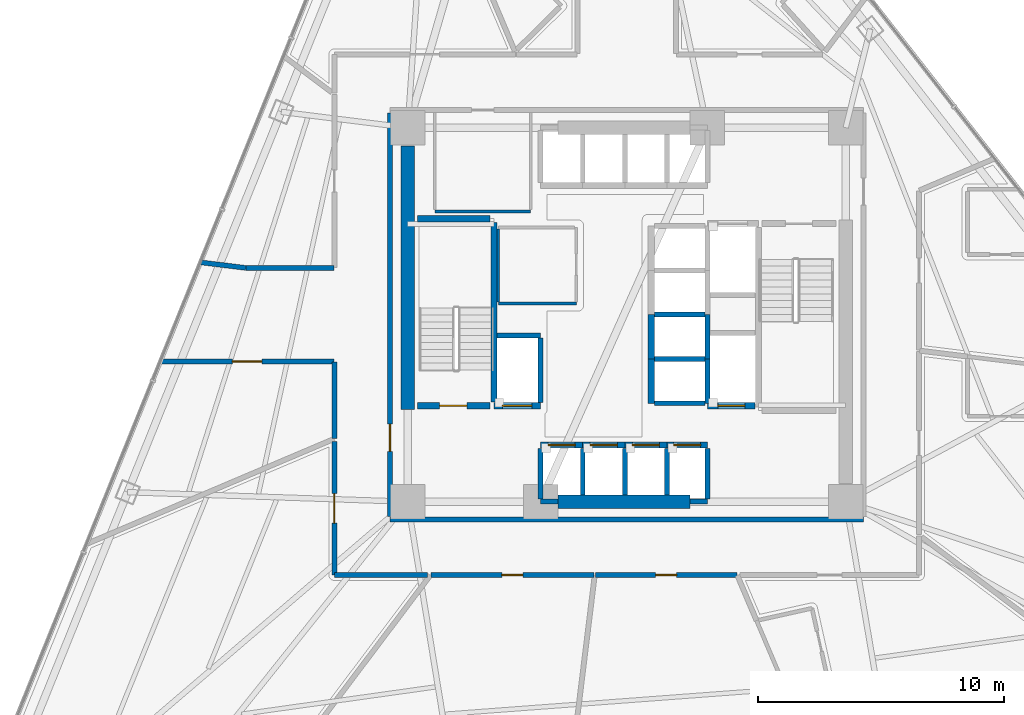
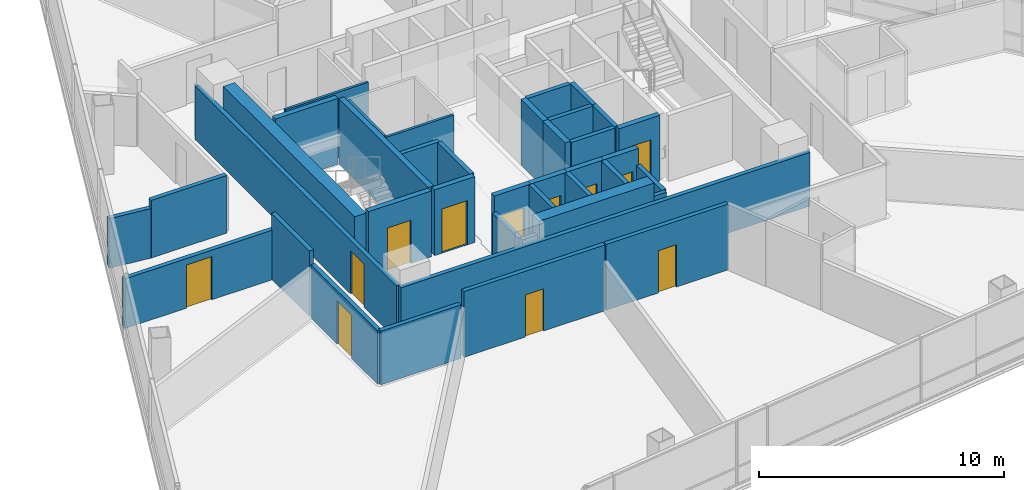
# One storey, part 7 of 15: 40 walls, 12 doors, 12 openings.
"""IFC4 building model written with IfcOpenShell, lengths in metres."""

from ifc_helpers import new_model, si_unit, direction, frame, frame_2d, origin, place, context, subcontext, project, spatial, rectangle, extrude, material, layer, layer_set, type_object, element, fill, save


model = new_model("IFC4")

# Units and contexts
model_context = context("Model", 3, precision=1e-05, world=origin(), true_north=direction((0.0, 1.0)))
body_context = subcontext(model_context, "Body", "Model", "MODEL_VIEW")
ifc_project = project(units=[si_unit("LENGTHUNIT", "METRE"), si_unit("AREAUNIT", "SQUARE_METRE"), si_unit("VOLUMEUNIT", "CUBIC_METRE"), si_unit("PLANEANGLEUNIT", "RADIAN"), si_unit("MASSUNIT", "GRAM", prefix="KILO")], contexts=[model_context])

# Site, building, storey
site_placement = place(None, origin())
site = spatial("IfcSite", under=ifc_project, at=site_placement, CompositionType="ELEMENT")
building_placement = place(site_placement, origin())
building = spatial("IfcBuilding", under=site, at=building_placement, Name="Tharavind Bronze Gate", CompositionType="ELEMENT")
storey_placement = place(building_placement, frame((0.0, 0.0, 74.199951171875)))
storey = spatial("IfcBuildingStorey", under=building, at=storey_placement, Name="L18", CompositionType="ELEMENT", Elevation=74.199951171875)

# Wall
ifc_material_1 = material(Name="Aerated Concrete Block", Category="concrete")
ifc_layer_1 = layer(ifc_material_1, 0.199951171875)
ifc_layer_set_1 = layer_set([ifc_layer_1], Name="Aerated Concrete Block")
wall_type_1 = type_object("IfcWallType", Name="FIRE RATED PARTITION 200", PredefinedType="PARTITIONING", material=ifc_layer_set_1)
wall_1_placement = place(storey_placement, frame((-9.6201171875, -8.320068359375, 0.0), z_axis=(0.0, 0.0, 1.0), x_axis=(1.0, 0.0, 0.0)))
element("IfcWall", 1, at=wall_1_placement, inside=storey, type_object=wall_type_1, Name="L18 south core corridor wall", PredefinedType="PARTITIONING", context=body_context, shape_type="SweptSolid", body=[
    extrude(rectangle(XDim=19.240234375, YDim=0.199951171875, at=frame_2d((9.6201171875, 0.0))), origin(), (0.0, 0.0, 1.0), 2.670166015625),
])

# Wall, opening, door
wall_2_placement = place(storey_placement, frame((-9.6201171875, 8.199951171875, 0.0), z_axis=(0.0, 0.0, 1.0), x_axis=(0.0, -1.0, 0.0)))
wall_2 = element("IfcWall", 2, at=wall_2_placement, inside=storey, type_object=wall_type_1, Name="L18 west core corridor wall", PredefinedType="PARTITIONING", context=body_context, shape_type="SweptSolid", body=[
    extrude(rectangle(XDim=16.39990234375, YDim=0.199951171875, at=frame_2d((8.199951171875, 0.0))), origin(), (0.0, 0.0, 1.0), 2.670166015625),
])
opening_1_placement = place(wall_2_placement, frame((12.64990234375, 0.0, 0.0)))
opening_1 = element("IfcOpeningElement", 3, at=opening_1_placement, cuts=wall_2, Name="Opening ID01", PredefinedType="OPENING", context=body_context, shape_type="SweptSolid", body=[
    extrude(rectangle(XDim=1.10009765625, YDim=2.14990234375, at=frame_2d((0.550048828125, 1.074951171875))), frame((0.0, 0.11009765625, 0.0), z_axis=(0.0, -1.0, 0.0), x_axis=(1.0, 0.0, 0.0)), (0.0, 0.0, 1.0), 0.219951171875),
])
ifc_material_2 = material(Name="Fire-Rated Steel", Category="steel")
door_type_1 = type_object("IfcDoorType", Name="STAIR CORE FIRE DOOR 1100X2150", OperationType="SINGLE_SWING_LEFT", PredefinedType="DOOR", material=ifc_material_2)
door_1_placement = place(opening_1_placement, frame((1.10009765625, 0.0, 0.0), z_axis=(0.0, 0.0, 1.0), x_axis=(-1.0, 0.0, 0.0)))
door_1 = element("IfcDoor", 4, at=door_1_placement, inside=storey, type_object=door_type_1, Name="L18 south west stair lobby fire door", OperationType="SINGLE_SWING_LEFT", OverallHeight=2.14990234375, OverallWidth=1.10009765625, PredefinedType="DOOR", context=body_context, shape_type="SweptSolid", body=[
    extrude(rectangle(XDim=1.10009765625, YDim=2.14990234375, at=frame_2d((0.550048828125, 1.074951171875))), frame((0.0, 0.02490234375, 0.0), z_axis=(0.0, -1.0, 0.0), x_axis=(1.0, 0.0, 0.0)), (0.0, 0.0, 1.0), 0.050048828125),
])
fill(opening_1, door_1)

wall_3_placement = place(storey_placement, frame((-7.960205078125, -10.580078125, 0.0), z_axis=(0.0, 0.0, 1.0), x_axis=(1.0, 0.0, 0.0)))
wall_3 = element("IfcWall", 5, at=wall_3_placement, inside=storey, type_object=wall_type_1, Name="L18 Public Restrooms Block partition", PredefinedType="PARTITIONING", context=body_context, shape_type="SweptSolid", body=[
    extrude(rectangle(XDim=6.6328125, YDim=0.199951171875, at=frame_2d((3.31640625, 0.0))), origin(), (0.0, 0.0, 1.0), 3.275146484375),
])
opening_2_placement = place(wall_3_placement, frame((2.89111328125, 0.0, 0.0)))
opening_2 = element("IfcOpeningElement", 6, at=opening_2_placement, cuts=wall_3, Name="Opening ID06", PredefinedType="OPENING", context=body_context, shape_type="SweptSolid", body=[
    extrude(rectangle(XDim=0.85009765625, YDim=2.10009765625, at=frame_2d((0.425048828125, 1.050048828125))), frame((0.0, 0.11009765625, 0.0), z_axis=(0.0, -1.0, 0.0), x_axis=(1.0, 0.0, 0.0)), (0.0, 0.0, 1.0), 0.219951171875),
])
ifc_material_3 = material(Name="Moisture-Resistant Timber", Category="wood")
door_type_2 = type_object("IfcDoorType", Name="BATHROOM PRIVACY DOOR 850X2100", OperationType="SINGLE_SWING_RIGHT", PredefinedType="DOOR", material=ifc_material_3)
door_2_placement = place(opening_2_placement, origin())
door_2 = element("IfcDoor", 7, at=door_2_placement, inside=storey, type_object=door_type_2, Name="L18 Public Restrooms Block door", OperationType="SINGLE_SWING_RIGHT", OverallHeight=2.10009765625, OverallWidth=0.85009765625, PredefinedType="DOOR", context=body_context, shape_type="SweptSolid", body=[
    extrude(rectangle(XDim=0.85009765625, YDim=2.10009765625, at=frame_2d((0.425048828125, 1.050048828125))), frame((0.0, 0.02490234375, 0.0), z_axis=(0.0, -1.0, 0.0), x_axis=(1.0, 0.0, 0.0)), (0.0, 0.0, 1.0), 0.050048828125),
])
fill(opening_2, door_2)

wall_4_placement = place(storey_placement, frame((-1.27685546875, -10.580078125, 0.0), z_axis=(0.0, 0.0, 1.0), x_axis=(1.0, 0.0, 0.0)))
wall_4 = element("IfcWall", 8, at=wall_4_placement, inside=storey, type_object=wall_type_1, Name="L18 Public Restrooms Block partition", PredefinedType="PARTITIONING", context=body_context, shape_type="SweptSolid", body=[
    extrude(rectangle(XDim=5.751220703125, YDim=0.199951171875, at=frame_2d((2.87548828125, 0.0))), origin(), (0.0, 0.0, 1.0), 3.275146484375),
])
opening_3_placement = place(wall_4_placement, frame((2.450927734375, 0.0, 0.0)))
opening_3 = element("IfcOpeningElement", 9, at=opening_3_placement, cuts=wall_4, Name="Opening ID06", PredefinedType="OPENING", context=body_context, shape_type="SweptSolid", body=[
    extrude(rectangle(XDim=0.85009765625, YDim=2.10009765625, at=frame_2d((0.425048828125, 1.050048828125))), frame((0.0, 0.11009765625, 0.0), z_axis=(0.0, -1.0, 0.0), x_axis=(1.0, 0.0, 0.0)), (0.0, 0.0, 1.0), 0.219951171875),
])
door_3_placement = place(opening_3_placement, origin())
door_3 = element("IfcDoor", 10, at=door_3_placement, inside=storey, type_object=door_type_2, Name="L18 Public Restrooms Block door", OperationType="SINGLE_SWING_RIGHT", OverallHeight=2.10009765625, OverallWidth=0.85009765625, PredefinedType="DOOR", context=body_context, shape_type="SweptSolid", body=[
    extrude(rectangle(XDim=0.85009765625, YDim=2.10009765625, at=frame_2d((0.425048828125, 1.050048828125))), frame((0.0, 0.02490234375, 0.0), z_axis=(0.0, -1.0, 0.0), x_axis=(1.0, 0.0, 0.0)), (0.0, 0.0, 1.0), 0.050048828125),
])
fill(opening_3, door_3)

# Walls
wall_5_placement = place(storey_placement, frame((-11.905029296875, 1.89990234375, 0.0), z_axis=(0.0, 0.0, 1.0), x_axis=(-1.0, 0.0, 0.0)))
element("IfcWall", 11, at=wall_5_placement, inside=storey, type_object=wall_type_1, Name="L18 Housekeeping & Linen Room partition", PredefinedType="PARTITIONING", context=body_context, shape_type="SweptSolid", body=[
    extrude(rectangle(XDim=3.567626953125, YDim=0.199951171875, at=frame_2d((1.78369140625, 0.0))), origin(), (0.0, 0.0, 1.0), 2.8701171875),
])
wall_6_placement = place(storey_placement, frame((-15.475830078125, 1.900146484375, 0.0), z_axis=(0.0, 0.0, 1.0), x_axis=(-0.992540940143, 0.121911780153, 0.0)))
element("IfcWall", 12, at=wall_6_placement, inside=storey, type_object=wall_type_1, Name="L18 Housekeeping & Linen Room partition", PredefinedType="PARTITIONING", context=body_context, shape_type="SweptSolid", body=[
    extrude(rectangle(XDim=1.8544921875, YDim=0.199951171875, at=frame_2d((0.92724609375, 0.0))), origin(), (0.0, 0.0, 1.0), 2.469970703125),
])

# Wall, opening, door
wall_7_placement = place(storey_placement, frame((-18.943115234375, -1.89990234375, 0.0), z_axis=(0.0, 0.0, 1.0), x_axis=(1.0, 0.0, 0.0)))
wall_7 = element("IfcWall", 13, at=wall_7_placement, inside=storey, type_object=wall_type_1, Name="L18 Hotel Guest Lounge partition", PredefinedType="PARTITIONING", context=body_context, shape_type="SweptSolid", body=[
    extrude(rectangle(XDim=7.0380859375, YDim=0.199951171875, at=frame_2d((3.51904296875, 0.0))), origin(), (0.0, 0.0, 1.0), 2.469970703125),
])
opening_4_placement = place(wall_7_placement, frame((2.9189453125, 0.0, 0.0)))
opening_4 = element("IfcOpeningElement", 14, at=opening_4_placement, cuts=wall_7, Name="Opening ID05", PredefinedType="OPENING", context=body_context, shape_type="SweptSolid", body=[
    extrude(rectangle(XDim=1.199951171875, YDim=2.14990234375, at=frame_2d((0.60009765625, 1.074951171875))), frame((0.0, 0.11009765625, 0.0), z_axis=(0.0, -1.0, 0.0), x_axis=(1.0, 0.0, 0.0)), (0.0, 0.0, 1.0), 0.219951171875),
])
ifc_material_4 = material(Name="Acoustic Laminated Glass", Category="glass")
door_type_3 = type_object("IfcDoorType", Name="MEETING ROOM GLAZED DOOR 1200X2150", OperationType="SINGLE_SWING_LEFT", PredefinedType="DOOR", material=ifc_material_4)
door_4_placement = place(opening_4_placement, origin())
door_4 = element("IfcDoor", 15, at=door_4_placement, inside=storey, type_object=door_type_3, Name="L18 Hotel Guest Lounge door", OperationType="SINGLE_SWING_LEFT", OverallHeight=2.14990234375, OverallWidth=1.199951171875, PredefinedType="DOOR", context=body_context, shape_type="SweptSolid", body=[
    extrude(rectangle(XDim=1.199951171875, YDim=2.14990234375, at=frame_2d((0.60009765625, 1.074951171875))), frame((0.0, 0.02490234375, 0.0), z_axis=(0.0, -1.0, 0.0), x_axis=(1.0, 0.0, 0.0)), (0.0, 0.0, 1.0), 0.050048828125),
])
fill(opening_4, door_4)

# Wall
wall_8_placement = place(storey_placement, frame((-11.8798828125, -1.925048828125, 0.0), z_axis=(0.0, 0.0, 1.0), x_axis=(0.0, -1.0, 0.0)))
element("IfcWall", 16, at=wall_8_placement, inside=storey, type_object=wall_type_1, Name="L18 Hotel Guest Lounge partition", PredefinedType="PARTITIONING", context=body_context, shape_type="SweptSolid", body=[
    extrude(rectangle(XDim=3.10107421875, YDim=0.199951171875, at=frame_2d((1.550537109375, 0.0))), origin(), (0.0, 0.0, 1.0), 3.275146484375),
])

# Wall, opening, door
wall_9_placement = place(storey_placement, frame((-11.8798828125, -5.15673828125, 0.0), z_axis=(0.0, 0.0, 1.0), x_axis=(0.0, -1.0, 0.0)))
wall_9 = element("IfcWall", 17, at=wall_9_placement, inside=storey, type_object=wall_type_1, Name="L18 Hotel Dining Bistro partition", PredefinedType="PARTITIONING", context=body_context, shape_type="SweptSolid", body=[
    extrude(rectangle(XDim=5.422607421875, YDim=0.199951171875, at=frame_2d((2.71142578125, 0.0))), origin(), (0.0, 0.0, 1.0), 2.670166015625),
])
opening_5_placement = place(wall_9_placement, frame((2.111083984375, 0.0, 0.0)))
opening_5 = element("IfcOpeningElement", 18, at=opening_5_placement, cuts=wall_9, Name="Opening ID05", PredefinedType="OPENING", context=body_context, shape_type="SweptSolid", body=[
    extrude(rectangle(XDim=1.199951171875, YDim=2.14990234375, at=frame_2d((0.60009765625, 1.074951171875))), frame((0.0, 0.11009765625, 0.0), z_axis=(0.0, -1.0, 0.0), x_axis=(1.0, 0.0, 0.0)), (0.0, 0.0, 1.0), 0.219951171875),
])
door_5_placement = place(opening_5_placement, origin())
door_5 = element("IfcDoor", 19, at=door_5_placement, inside=storey, type_object=door_type_3, Name="L18 Hotel Dining Bistro door", OperationType="SINGLE_SWING_LEFT", OverallHeight=2.14990234375, OverallWidth=1.199951171875, PredefinedType="DOOR", context=body_context, shape_type="SweptSolid", body=[
    extrude(rectangle(XDim=1.199951171875, YDim=2.14990234375, at=frame_2d((0.60009765625, 1.074951171875))), frame((0.0, 0.02490234375, 0.0), z_axis=(0.0, -1.0, 0.0), x_axis=(1.0, 0.0, 0.0)), (0.0, 0.0, 1.0), 0.050048828125),
])
fill(opening_5, door_5)

# Walls
wall_10_placement = place(storey_placement, frame((-11.87939453125, -10.580078125, 0.0), z_axis=(0.0, 0.0, 1.0), x_axis=(1.0, 0.0, 0.0)))
element("IfcWall", 20, at=wall_10_placement, inside=storey, type_object=wall_type_1, Name="L18 Hotel Dining Bistro partition", PredefinedType="PARTITIONING", context=body_context, shape_type="SweptSolid", body=[
    extrude(rectangle(XDim=3.775390625, YDim=0.199951171875, at=frame_2d((1.8876953125, 0.0))), origin(), (0.0, 0.0, 1.0), 2.670166015625),
])
ifc_material_5 = material(Name="Metal Stud Gypsum Partition", Category="gypsum")
ifc_layer_2 = layer(ifc_material_5, 0.1201171875)
ifc_layer_set_2 = layer_set([ifc_layer_2], Name="Metal Stud Gypsum Partition")
wall_type_2 = type_object("IfcWallType", Name="INTERIOR PARTITION WALL 120", PredefinedType="PARTITIONING", material=ifc_layer_set_2)
wall_11_placement = place(storey_placement, frame((-5.219970703125, 0.449951171875, 0.0), z_axis=(0.0, 0.0, 1.0), x_axis=(1.0, 0.0, 0.0)))
element("IfcWall", 21, at=wall_11_placement, inside=storey, type_object=wall_type_2, Name="L18 Electrical & Telecom Store partition 1", PredefinedType="PARTITIONING", context=body_context, shape_type="SweptSolid", body=[
    extrude(rectangle(XDim=3.169921875, YDim=0.1201171875, at=frame_2d((1.5849609375, 0.0))), origin(), (0.0, 0.0, 1.0), 3.275146484375),
])
wall_12_placement = place(storey_placement, frame((-5.219970703125, 3.485107421875, 0.0), z_axis=(0.0, 0.0, 1.0), x_axis=(0.0, -1.0, 0.0)))
element("IfcWall", 22, at=wall_12_placement, inside=storey, type_object=wall_type_2, Name="L18 Electrical & Telecom Store partition 4", PredefinedType="PARTITIONING", context=body_context, shape_type="SweptSolid", body=[
    extrude(rectangle(XDim=2.97021484375, YDim=0.1201171875, at=frame_2d((1.485107421875, 0.0))), origin(), (0.0, 0.0, 1.0), 3.275146484375),
])
wall_13_placement = place(storey_placement, frame((-7.800048828125, 4.199951171875, 0.0), z_axis=(0.0, 0.0, 1.0), x_axis=(1.0, 0.0, 0.0)))
element("IfcWall", 23, at=wall_13_placement, inside=storey, type_object=wall_type_2, Name="L18 Electrical Switch Room partition 1", PredefinedType="PARTITIONING", context=body_context, shape_type="SweptSolid", body=[
    extrude(rectangle(XDim=3.900146484375, YDim=0.1201171875, at=frame_2d((1.9501953125, 0.0))), origin(), (0.0, 0.0, 1.0), 3.275146484375),
])
ifc_material_6 = material(Name="Concrete C50/60", Category="concrete")
ifc_layer_3 = layer(ifc_material_6, 0.25)
ifc_layer_set_3 = layer_set([ifc_layer_3], Name="Concrete C50/60")
wall_type_3 = type_object("IfcWallType", Name="RC CORE SHEAR WALL 250", PredefinedType="SHEAR", material=ifc_layer_set_3)
wall_14_placement = place(storey_placement, frame((-5.39990234375, -3.550048828125, 0.0), z_axis=(0.0, 0.0, 1.0), x_axis=(0.0, 1.0, 0.0)))
element("IfcWall", 24, at=wall_14_placement, inside=storey, type_object=wall_type_3, Name="L18 ST1 shaft east wall", PredefinedType="SHEAR", context=body_context, shape_type="SweptSolid", body=[
    extrude(rectangle(XDim=7.300048828125, YDim=0.25, at=frame_2d((3.64990234375, 0.0))), origin(), (0.0, 0.0, 1.0), 3.275146484375),
])

# Wall, opening, door
wall_15_placement = place(storey_placement, frame((-8.5, -3.699951171875, 0.0), z_axis=(0.0, 0.0, 1.0), x_axis=(1.0, 0.0, 0.0)))
wall_15 = element("IfcWall", 25, at=wall_15_placement, inside=storey, type_object=wall_type_3, Name="L18 ST1 shaft south wall", PredefinedType="SHEAR", context=body_context, shape_type="SweptSolid", body=[
    extrude(rectangle(XDim=2.949951171875, YDim=0.25, at=frame_2d((1.47509765625, 0.0))), origin(), (0.0, 0.0, 1.0), 3.275146484375),
])
opening_6_placement = place(wall_15_placement, frame((0.89990234375, 0.0, 0.0)))
opening_6 = element("IfcOpeningElement", 26, at=opening_6_placement, cuts=wall_15, Name="Opening ID01", PredefinedType="OPENING", context=body_context, shape_type="SweptSolid", body=[
    extrude(rectangle(XDim=1.10009765625, YDim=2.14990234375, at=frame_2d((0.550048828125, 1.074951171875))), frame((0.0, 0.135, 0.0), z_axis=(0.0, -1.0, 0.0), x_axis=(1.0, 0.0, 0.0)), (0.0, 0.0, 1.0), 0.27),
])
door_6_placement = place(opening_6_placement, origin())
door_6 = element("IfcDoor", 27, at=door_6_placement, inside=storey, type_object=door_type_1, Name="L18 exit stair ST1 fire door", OperationType="SINGLE_SWING_LEFT", OverallHeight=2.14990234375, OverallWidth=1.10009765625, PredefinedType="DOOR", context=body_context, shape_type="SweptSolid", body=[
    extrude(rectangle(XDim=1.10009765625, YDim=2.14990234375, at=frame_2d((0.550048828125, 1.074951171875))), frame((0.0, 0.02490234375, 0.0), z_axis=(0.0, -1.0, 0.0), x_axis=(1.0, 0.0, 0.0)), (0.0, 0.0, 1.0), 0.050048828125),
])
fill(opening_6, door_6)

# Wall
wall_16_placement = place(storey_placement, frame((-8.5, 3.89990234375, 0.0), z_axis=(0.0, 0.0, 1.0), x_axis=(1.0, 0.0, 0.0)))
element("IfcWall", 28, at=wall_16_placement, inside=storey, type_object=wall_type_3, Name="L18 ST1 shaft north wall", PredefinedType="SHEAR", context=body_context, shape_type="SweptSolid", body=[
    extrude(rectangle(XDim=2.949951171875, YDim=0.25, at=frame_2d((1.47509765625, 0.0))), origin(), (0.0, 0.0, 1.0), 3.275146484375),
])

# Wall, opening, door
wall_17_placement = place(storey_placement, frame((-3.5, -5.300048828125, 0.0), z_axis=(0.0, 0.0, 1.0), x_axis=(1.0, 0.0, 0.0)))
wall_17 = element("IfcWall", 29, at=wall_17_placement, inside=storey, type_object=wall_type_3, Name="L18 lift PL1 shaft front wall", PredefinedType="SHEAR", context=body_context, shape_type="SweptSolid", body=[
    extrude(rectangle(XDim=1.71240234375, YDim=0.25, at=frame_2d((0.856201171875, 0.0))), origin(), (0.0, 0.0, 1.0), 3.275146484375),
])
opening_7_placement = place(wall_17_placement, frame((0.305908203125, 0.0, 0.0)))
opening_7 = element("IfcOpeningElement", 30, at=opening_7_placement, cuts=wall_17, Name="Opening LD01", PredefinedType="OPENING", context=body_context, shape_type="SweptSolid", body=[
    extrude(rectangle(XDim=1.10009765625, YDim=2.199951171875, at=frame_2d((0.550048828125, 1.10009765625))), frame((0.0, 0.135, 0.0), z_axis=(0.0, -1.0, 0.0), x_axis=(1.0, 0.0, 0.0)), (0.0, 0.0, 1.0), 0.27),
])
ifc_material_7 = material(Name="Brushed Bronze Stainless Steel", Category="steel")
door_type_4 = type_object("IfcDoorType", Name="LIFT LANDING SLIDING DOOR 1100X2200", OperationType="SLIDING_TO_LEFT", PredefinedType="DOOR", material=ifc_material_7)
door_7_placement = place(opening_7_placement, origin())
door_7 = element("IfcDoor", 31, at=door_7_placement, inside=storey, type_object=door_type_4, Name="L18 lift PL1 sliding landing door", OperationType="SLIDING_TO_LEFT", OverallHeight=2.199951171875, OverallWidth=1.10009765625, PredefinedType="DOOR", context=body_context, shape_type="SweptSolid", body=[
    extrude(rectangle(XDim=1.10009765625, YDim=2.199951171875, at=frame_2d((0.550048828125, 1.10009765625))), frame((0.0, 0.02490234375, 0.0), z_axis=(0.0, -1.0, 0.0), x_axis=(1.0, 0.0, 0.0)), (0.0, 0.0, 1.0), 0.050048828125),
])
fill(opening_7, door_7)

wall_18_placement = place(storey_placement, frame((-1.78759765625, -5.300048828125, 0.0), z_axis=(0.0, 0.0, 1.0), x_axis=(1.0, 0.0, 0.0)))
wall_18 = element("IfcWall", 32, at=wall_18_placement, inside=storey, type_object=wall_type_3, Name="L18 lift PL2 shaft front wall", PredefinedType="SHEAR", context=body_context, shape_type="SweptSolid", body=[
    extrude(rectangle(XDim=1.712646484375, YDim=0.25, at=frame_2d((0.8564453125, 0.0))), origin(), (0.0, 0.0, 1.0), 3.275146484375),
])
opening_8_placement = place(wall_18_placement, frame((0.305908203125, 0.0, 0.0)))
opening_8 = element("IfcOpeningElement", 33, at=opening_8_placement, cuts=wall_18, Name="Opening LD01", PredefinedType="OPENING", context=body_context, shape_type="SweptSolid", body=[
    extrude(rectangle(XDim=1.10009765625, YDim=2.199951171875, at=frame_2d((0.550048828125, 1.10009765625))), frame((0.0, 0.135, 0.0), z_axis=(0.0, -1.0, 0.0), x_axis=(1.0, 0.0, 0.0)), (0.0, 0.0, 1.0), 0.27),
])
door_8_placement = place(opening_8_placement, origin())
door_8 = element("IfcDoor", 34, at=door_8_placement, inside=storey, type_object=door_type_4, Name="L18 lift PL2 sliding landing door", OperationType="SLIDING_TO_LEFT", OverallHeight=2.199951171875, OverallWidth=1.10009765625, PredefinedType="DOOR", context=body_context, shape_type="SweptSolid", body=[
    extrude(rectangle(XDim=1.10009765625, YDim=2.199951171875, at=frame_2d((0.550048828125, 1.10009765625))), frame((0.0, 0.02490234375, 0.0), z_axis=(0.0, -1.0, 0.0), x_axis=(1.0, 0.0, 0.0)), (0.0, 0.0, 1.0), 0.050048828125),
])
fill(opening_8, door_8)

wall_19_placement = place(storey_placement, frame((-0.074951171875, -5.300048828125, 0.0), z_axis=(0.0, 0.0, 1.0), x_axis=(1.0, 0.0, 0.0)))
wall_19 = element("IfcWall", 35, at=wall_19_placement, inside=storey, type_object=wall_type_3, Name="L18 lift PL3 shaft front wall", PredefinedType="SHEAR", context=body_context, shape_type="SweptSolid", body=[
    extrude(rectangle(XDim=1.71240234375, YDim=0.25, at=frame_2d((0.856201171875, 0.0))), origin(), (0.0, 0.0, 1.0), 3.275146484375),
])
opening_9_placement = place(wall_19_placement, frame((0.305908203125, 0.0, 0.0)))
opening_9 = element("IfcOpeningElement", 36, at=opening_9_placement, cuts=wall_19, Name="Opening LD01", PredefinedType="OPENING", context=body_context, shape_type="SweptSolid", body=[
    extrude(rectangle(XDim=1.10009765625, YDim=2.199951171875, at=frame_2d((0.550048828125, 1.10009765625))), frame((0.0, 0.135, 0.0), z_axis=(0.0, -1.0, 0.0), x_axis=(1.0, 0.0, 0.0)), (0.0, 0.0, 1.0), 0.27),
])
door_9_placement = place(opening_9_placement, origin())
door_9 = element("IfcDoor", 37, at=door_9_placement, inside=storey, type_object=door_type_4, Name="L18 lift PL3 sliding landing door", OperationType="SLIDING_TO_LEFT", OverallHeight=2.199951171875, OverallWidth=1.10009765625, PredefinedType="DOOR", context=body_context, shape_type="SweptSolid", body=[
    extrude(rectangle(XDim=1.10009765625, YDim=2.199951171875, at=frame_2d((0.550048828125, 1.10009765625))), frame((0.0, 0.02490234375, 0.0), z_axis=(0.0, -1.0, 0.0), x_axis=(1.0, 0.0, 0.0)), (0.0, 0.0, 1.0), 0.050048828125),
])
fill(opening_9, door_9)

wall_20_placement = place(storey_placement, frame((1.637451171875, -5.300048828125, 0.0), z_axis=(0.0, 0.0, 1.0), x_axis=(1.0, 0.0, 0.0)))
wall_20 = element("IfcWall", 38, at=wall_20_placement, inside=storey, type_object=wall_type_3, Name="L18 lift PL4 shaft front wall", PredefinedType="SHEAR", context=body_context, shape_type="SweptSolid", body=[
    extrude(rectangle(XDim=1.642578125, YDim=0.25, at=frame_2d((0.8212890625, 0.0))), origin(), (0.0, 0.0, 1.0), 3.275146484375),
])
opening_10_placement = place(wall_20_placement, frame((0.27099609375, 0.0, 0.0)))
opening_10 = element("IfcOpeningElement", 39, at=opening_10_placement, cuts=wall_20, Name="Opening LD01", PredefinedType="OPENING", context=body_context, shape_type="SweptSolid", body=[
    extrude(rectangle(XDim=1.10009765625, YDim=2.199951171875, at=frame_2d((0.550048828125, 1.10009765625))), frame((0.0, 0.135, 0.0), z_axis=(0.0, -1.0, 0.0), x_axis=(1.0, 0.0, 0.0)), (0.0, 0.0, 1.0), 0.27),
])
door_10_placement = place(opening_10_placement, origin())
door_10 = element("IfcDoor", 40, at=door_10_placement, inside=storey, type_object=door_type_4, Name="L18 lift PL4 sliding landing door", OperationType="SLIDING_TO_LEFT", OverallHeight=2.199951171875, OverallWidth=1.10009765625, PredefinedType="DOOR", context=body_context, shape_type="SweptSolid", body=[
    extrude(rectangle(XDim=1.10009765625, YDim=2.199951171875, at=frame_2d((0.550048828125, 1.10009765625))), frame((0.0, 0.02490234375, 0.0), z_axis=(0.0, -1.0, 0.0), x_axis=(1.0, 0.0, 0.0)), (0.0, 0.0, 1.0), 0.050048828125),
])
fill(opening_10, door_10)

# Walls
for number, where, z_axis, x_axis, name in (
    (41, (1.0, -3.60009765625, 0.0), (0.0, 0.0, 1.0), (0.0, 1.0, 0.0), "L18 lift PL9 shaft front wall"),
    (42, (1.0, -1.800048828125, 0.0), (0.0, 0.0, 1.0), (0.0, 1.0, 0.0), "L18 lift PL10 shaft front wall"),
):
    element("IfcWall", number, at=place(storey_placement, frame(where, z_axis=z_axis, x_axis=x_axis)), inside=storey, type_object=wall_type_3, Name=name, PredefinedType="SHEAR", context=body_context, shape_type="SweptSolid", body=[
        extrude(rectangle(XDim=1.800048828125, YDim=0.25, at=frame_2d((0.89990234375, 0.0))), origin(), (0.0, 0.0, 1.0), 3.275146484375),
    ])

# Wall, opening, door
wall_21_placement = place(storey_placement, frame((-5.39990234375, -3.699951171875, 0.0), z_axis=(0.0, 0.0, 1.0), x_axis=(1.0, 0.0, 0.0)))
wall_21 = element("IfcWall", 43, at=wall_21_placement, inside=storey, type_object=wall_type_3, Name="L18 lift FFL1 shaft front wall", PredefinedType="SHEAR", context=body_context, shape_type="SweptSolid", body=[
    extrude(rectangle(XDim=1.89990234375, YDim=0.25, at=frame_2d((0.949951171875, 0.0))), origin(), (0.0, 0.0, 1.0), 3.275146484375),
])
opening_11_placement = place(wall_21_placement, frame((0.35009765625, 0.0, 0.0)))
opening_11 = element("IfcOpeningElement", 44, at=opening_11_placement, cuts=wall_21, Name="Opening LD02", PredefinedType="OPENING", context=body_context, shape_type="SweptSolid", body=[
    extrude(rectangle(XDim=1.199951171875, YDim=2.199951171875, at=frame_2d((0.60009765625, 1.10009765625))), frame((0.0, 0.135, 0.0), z_axis=(0.0, -1.0, 0.0), x_axis=(1.0, 0.0, 0.0)), (0.0, 0.0, 1.0), 0.27),
])
ifc_material_8 = material(Name="Brushed Stainless Steel", Category="steel")
door_type_5 = type_object("IfcDoorType", Name="FIREFIGHTING LIFT LANDING DOOR 1200X2200", OperationType="SLIDING_TO_RIGHT", PredefinedType="DOOR", material=ifc_material_8)
door_11_placement = place(opening_11_placement, origin())
door_11 = element("IfcDoor", 45, at=door_11_placement, inside=storey, type_object=door_type_5, Name="L18 lift FFL1 sliding landing door", OperationType="SLIDING_TO_RIGHT", OverallHeight=2.199951171875, OverallWidth=1.199951171875, PredefinedType="DOOR", context=body_context, shape_type="SweptSolid", body=[
    extrude(rectangle(XDim=1.199951171875, YDim=2.199951171875, at=frame_2d((0.60009765625, 1.10009765625))), frame((0.0, 0.02490234375, 0.0), z_axis=(0.0, -1.0, 0.0), x_axis=(1.0, 0.0, 0.0)), (0.0, 0.0, 1.0), 0.050048828125),
])
fill(opening_11, door_11)

wall_22_placement = place(storey_placement, frame((3.280029296875, -3.699951171875, 0.0), z_axis=(0.0, 0.0, 1.0), x_axis=(1.0, 0.0, 0.0)))
wall_22 = element("IfcWall", 46, at=wall_22_placement, inside=storey, type_object=wall_type_3, Name="L18 lift SVL1 shaft front wall", PredefinedType="SHEAR", context=body_context, shape_type="SweptSolid", body=[
    extrude(rectangle(XDim=1.93994140625, YDim=0.25, at=frame_2d((0.969970703125, 0.0))), origin(), (0.0, 0.0, 1.0), 3.275146484375),
])
opening_12_placement = place(wall_22_placement, frame((0.419921875, 0.0, 0.0)))
opening_12 = element("IfcOpeningElement", 47, at=opening_12_placement, cuts=wall_22, Name="Opening LD01", PredefinedType="OPENING", context=body_context, shape_type="SweptSolid", body=[
    extrude(rectangle(XDim=1.10009765625, YDim=2.199951171875, at=frame_2d((0.550048828125, 1.10009765625))), frame((0.0, 0.135, 0.0), z_axis=(0.0, -1.0, 0.0), x_axis=(1.0, 0.0, 0.0)), (0.0, 0.0, 1.0), 0.27),
])
door_12_placement = place(opening_12_placement, origin())
door_12 = element("IfcDoor", 48, at=door_12_placement, inside=storey, type_object=door_type_4, Name="L18 lift SVL1 sliding landing door", OperationType="SLIDING_TO_LEFT", OverallHeight=2.199951171875, OverallWidth=1.10009765625, PredefinedType="DOOR", context=body_context, shape_type="SweptSolid", body=[
    extrude(rectangle(XDim=1.10009765625, YDim=2.199951171875, at=frame_2d((0.550048828125, 1.10009765625))), frame((0.0, 0.02490234375, 0.0), z_axis=(0.0, -1.0, 0.0), x_axis=(1.0, 0.0, 0.0)), (0.0, 0.0, 1.0), 0.050048828125),
])
fill(opening_12, door_12)

# Walls
ifc_material_9 = material(Name="Concrete C60/75", Category="concrete")
ifc_layer_4 = layer(ifc_material_9, 0.550048828125)
ifc_layer_set_4 = layer_set([ifc_layer_4], Name="Concrete C60/75")
wall_type_4 = type_object("IfcWallType", Name="RC CORE SHEAR WALL 550", PredefinedType="SHEAR", material=ifc_layer_set_4)
wall_23_placement = place(storey_placement, frame((-2.800048828125, -7.60009765625, 0.0), z_axis=(0.0, 0.0, 1.0), x_axis=(1.0, 0.0, 0.0)))
element("IfcWall", 49, at=wall_23_placement, inside=storey, type_object=wall_type_4, Name="L18 south core shear wall", PredefinedType="SHEAR", context=body_context, shape_type="SweptSolid", body=[
    extrude(rectangle(XDim=5.380126953125, YDim=0.550048828125, at=frame_2d((2.68994140625, 0.0))), origin(), (0.0, 0.0, 1.0), 3.275146484375),
])
wall_24_placement = place(storey_placement, frame((-8.89990234375, -3.85009765625, 0.0), z_axis=(0.0, 0.0, 1.0), x_axis=(0.0, 1.0, 0.0)))
element("IfcWall", 50, at=wall_24_placement, inside=storey, type_object=wall_type_4, Name="L18 west core shear wall", PredefinedType="SHEAR", context=body_context, shape_type="SweptSolid", body=[
    extrude(rectangle(XDim=10.7001953125, YDim=0.550048828125, at=frame_2d((5.35009765625, 0.0))), origin(), (0.0, 0.0, 1.0), 3.275146484375),
])
ifc_material_10 = material(Name="Concrete C40/50", Category="concrete")
ifc_layer_5 = layer(ifc_material_10, 0.199951171875)
ifc_layer_set_5 = layer_set([ifc_layer_5], Name="Concrete C40/50")
wall_type_5 = type_object("IfcWallType", Name="SHAFT ENCLOSURE WALL 200", PredefinedType="PARTITIONING", material=ifc_layer_set_5)
wall_25_placement = place(storey_placement, frame((-3.5, -7.60009765625, 0.0), z_axis=(0.0, 0.0, 1.0), x_axis=(1.0, 0.0, 0.0)))
element("IfcWall", 51, at=wall_25_placement, inside=storey, type_object=wall_type_5, Name="L18 lift PL1 shaft S enclosure wall", PredefinedType="PARTITIONING", context=body_context, shape_type="SweptSolid", body=[
    extrude(rectangle(XDim=0.699951171875, YDim=0.199951171875, at=frame_2d((0.35009765625, 0.0))), origin(), (0.0, 0.0, 1.0), 2.469970703125),
])
wall_26_placement = place(storey_placement, frame((-3.5, -7.4951171875, 0.0), z_axis=(0.0, 0.0, 1.0), x_axis=(0.0, 1.0, 0.0)))
element("IfcWall", 52, at=wall_26_placement, inside=storey, type_object=wall_type_5, Name="L18 lift PL1 shaft W enclosure wall", PredefinedType="PARTITIONING", context=body_context, shape_type="SweptSolid", body=[
    extrude(rectangle(XDim=2.065185546875, YDim=0.199951171875, at=frame_2d((1.03271484375, 0.0))), origin(), (0.0, 0.0, 1.0), 2.469970703125),
])
for number, where, z_axis, x_axis, name in (
    (53, (-1.78759765625, -7.320068359375, 0.0), (0.0, 0.0, 1.0), (0.0, 1.0, 0.0), "L18 lift PL1 shaft E enclosure wall"),
    (54, (-0.074951171875, -7.320068359375, 0.0), (0.0, 0.0, 1.0), (0.0, 1.0, 0.0), "L18 lift PL2 shaft E enclosure wall"),
    (55, (1.637451171875, -7.320068359375, 0.0), (0.0, 0.0, 1.0), (0.0, 1.0, 0.0), "L18 lift PL3 shaft E enclosure wall"),
):
    element("IfcWall", number, at=place(storey_placement, frame(where, z_axis=z_axis, x_axis=x_axis)), inside=storey, type_object=wall_type_5, Name=name, PredefinedType="PARTITIONING", context=body_context, shape_type="SweptSolid", body=[
        extrude(rectangle(XDim=1.89013671875, YDim=0.199951171875, at=frame_2d((0.945068359375, 0.0))), origin(), (0.0, 0.0, 1.0), 3.275146484375),
    ])
wall_27_placement = place(storey_placement, frame((2.580078125, -7.60009765625, 0.0), z_axis=(0.0, 0.0, 1.0), x_axis=(1.0, 0.0, 0.0)))
element("IfcWall", 56, at=wall_27_placement, inside=storey, type_object=wall_type_5, Name="L18 lift PL4 shaft S enclosure wall", PredefinedType="PARTITIONING", context=body_context, shape_type="SweptSolid", body=[
    extrude(rectangle(XDim=0.699951171875, YDim=0.199951171875, at=frame_2d((0.35009765625, 0.0))), origin(), (0.0, 0.0, 1.0), 2.469970703125),
])
wall_28_placement = place(storey_placement, frame((3.280029296875, -7.4951171875, 0.0), z_axis=(0.0, 0.0, 1.0), x_axis=(0.0, 1.0, 0.0)))
element("IfcWall", 57, at=wall_28_placement, inside=storey, type_object=wall_type_5, Name="L18 lift PL4 shaft E enclosure wall", PredefinedType="PARTITIONING", context=body_context, shape_type="SweptSolid", body=[
    extrude(rectangle(XDim=2.065185546875, YDim=0.199951171875, at=frame_2d((1.03271484375, 0.0))), origin(), (0.0, 0.0, 1.0), 2.469970703125),
])
wall_29_placement = place(storey_placement, frame((3.280029296875, -3.60009765625, 0.0), z_axis=(0.0, 0.0, 1.0), x_axis=(0.0, 1.0, 0.0)))
element("IfcWall", 58, at=wall_29_placement, inside=storey, type_object=wall_type_5, Name="L18 lift PL9 shaft E enclosure wall", PredefinedType="PARTITIONING", context=body_context, shape_type="SweptSolid", body=[
    extrude(rectangle(XDim=1.800048828125, YDim=0.199951171875, at=frame_2d((0.89990234375, 0.0))), origin(), (0.0, 0.0, 1.0), 3.275146484375),
])
for number, where, z_axis, x_axis, name in (
    (59, (1.1298828125, -3.60009765625, 0.0), (0.0, 0.0, 1.0), (1.0, 0.0, 0.0), "L18 lift PL9 shaft S enclosure wall"),
    (60, (1.1298828125, -1.800048828125, 0.0), (0.0, 0.0, 1.0), (1.0, 0.0, 0.0), "L18 lift PL9 shaft N enclosure wall"),
):
    element("IfcWall", number, at=place(storey_placement, frame(where, z_axis=z_axis, x_axis=x_axis)), inside=storey, type_object=wall_type_5, Name=name, PredefinedType="PARTITIONING", context=body_context, shape_type="SweptSolid", body=[
        extrude(rectangle(XDim=2.045166015625, YDim=0.199951171875, at=frame_2d((1.0224609375, 0.0))), origin(), (0.0, 0.0, 1.0), 3.275146484375),
    ])
wall_30_placement = place(storey_placement, frame((3.280029296875, -1.800048828125, 0.0), z_axis=(0.0, 0.0, 1.0), x_axis=(0.0, 1.0, 0.0)))
element("IfcWall", 61, at=wall_30_placement, inside=storey, type_object=wall_type_5, Name="L18 lift PL10 shaft E enclosure wall", PredefinedType="PARTITIONING", context=body_context, shape_type="SweptSolid", body=[
    extrude(rectangle(XDim=1.800048828125, YDim=0.199951171875, at=frame_2d((0.89990234375, 0.0))), origin(), (0.0, 0.0, 1.0), 3.275146484375),
])
wall_31_placement = place(storey_placement, frame((1.1298828125, 0.0, 0.0), z_axis=(0.0, 0.0, 1.0), x_axis=(1.0, 0.0, 0.0)))
element("IfcWall", 62, at=wall_31_placement, inside=storey, type_object=wall_type_5, Name="L18 lift PL10 shaft N enclosure wall", PredefinedType="PARTITIONING", context=body_context, shape_type="SweptSolid", body=[
    extrude(rectangle(XDim=2.045166015625, YDim=0.199951171875, at=frame_2d((1.0224609375, 0.0))), origin(), (0.0, 0.0, 1.0), 3.275146484375),
])
wall_32_placement = place(storey_placement, frame((-5.27001953125, -0.85009765625, 0.0), z_axis=(0.0, 0.0, 1.0), x_axis=(1.0, 0.0, 0.0)))
element("IfcWall", 63, at=wall_32_placement, inside=storey, type_object=wall_type_5, Name="L18 lift FFL1 shaft N enclosure wall", PredefinedType="PARTITIONING", context=body_context, shape_type="SweptSolid", body=[
    extrude(rectangle(XDim=1.77001953125, YDim=0.199951171875, at=frame_2d((0.885009765625, 0.0))), origin(), (0.0, 0.0, 1.0), 3.275146484375),
])
wall_33_placement = place(storey_placement, frame((-3.5, -3.570068359375, 0.0), z_axis=(0.0, 0.0, 1.0), x_axis=(0.0, 1.0, 0.0)))
element("IfcWall", 64, at=wall_33_placement, inside=storey, type_object=wall_type_5, Name="L18 lift FFL1 shaft E enclosure wall", PredefinedType="PARTITIONING", context=body_context, shape_type="SweptSolid", body=[
    extrude(rectangle(XDim=2.614990234375, YDim=0.199951171875, at=frame_2d((1.3076171875, 0.0))), origin(), (0.0, 0.0, 1.0), 3.275146484375),
])

save(model, "model.ifc")
